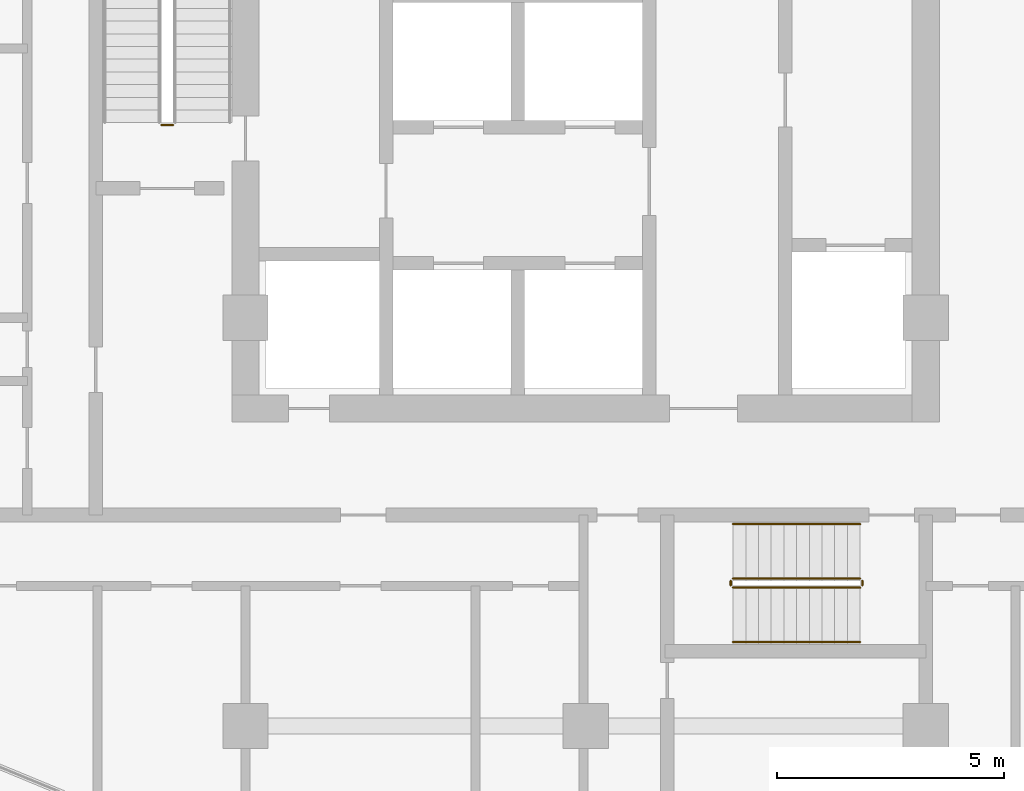
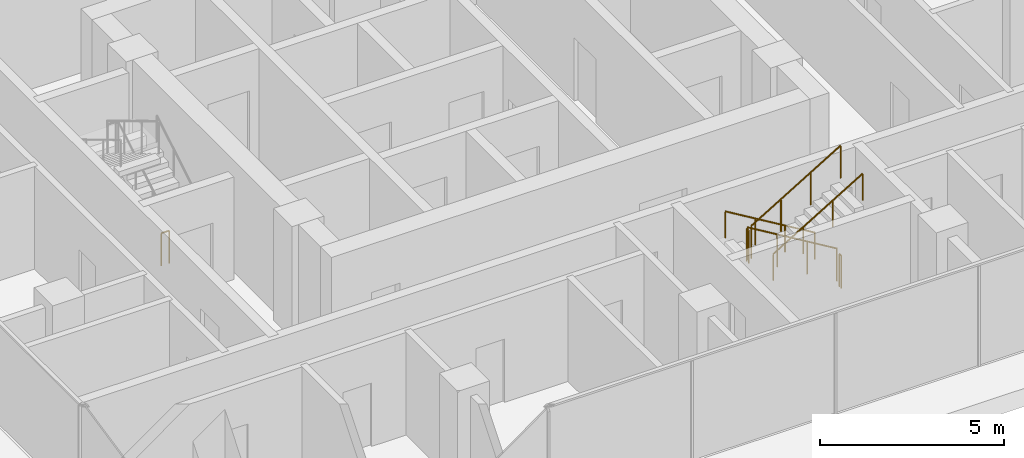
# One storey, part 35 of 36: 7 railings.
"""IFC4 building model written with IfcOpenShell, lengths in metres."""

from ifc_helpers import new_model, si_unit, direction, frame, origin, origin_2d, place, context, subcontext, project, spatial, circle, extrude, material, type_object, element, save


model = new_model("IFC4")

# Units and contexts
model_context = context("Model", 3, precision=1e-05, world=origin(), true_north=direction((0.0, 1.0)))
body_context = subcontext(model_context, "Body", "Model", "MODEL_VIEW")
ifc_project = project(units=[si_unit("LENGTHUNIT", "METRE"), si_unit("AREAUNIT", "SQUARE_METRE"), si_unit("VOLUMEUNIT", "CUBIC_METRE"), si_unit("PLANEANGLEUNIT", "RADIAN"), si_unit("MASSUNIT", "GRAM", prefix="KILO")], contexts=[model_context])

# Site, building, storey
site_placement = place(None, origin())
site = spatial("IfcSite", under=ifc_project, at=site_placement, CompositionType="ELEMENT")
building_placement = place(site_placement, origin())
building = spatial("IfcBuilding", under=site, at=building_placement, Name="Ogive Portal Towers", CompositionType="ELEMENT")
storey_placement = place(building_placement, frame((0.0, 0.0, 52.0)))
storey = spatial("IfcBuildingStorey", under=building, at=storey_placement, Name="L11", CompositionType="ELEMENT", Elevation=52.0)

# Railings
ifc_material_1 = material(Name="Stainless steel balustrade", Category="steel")
railing_type_1 = type_object("IfcRailingType", Name="INT-GUARD", PredefinedType="GUARDRAIL", material=ifc_material_1)
railing_1_placement = place(storey_placement, frame((127.39990234375, 30.75, 0.0)))
element("IfcRailing", 1, at=railing_1_placement, inside=storey, type_object=railing_type_1, Name="L11 ST-B1 stair guard 4", PredefinedType="GUARDRAIL", context=body_context, shape_type="SweptSolid", body=[
    extrude(circle(Radius=0.02392578125, at=origin_2d()), frame((0.0, 0.0, 1.076171875), z_axis=(-1.0, 0.0, 0.0), x_axis=(0.0, -1.0, 0.0)), (0.0, 0.0, 1.0), 0.25),
    extrude(circle(Radius=0.02099609375, at=origin_2d()), origin(), (0.0, 0.0, 1.0), 1.052001953125),
    extrude(circle(Radius=0.02099609375, at=origin_2d()), frame((-0.25, 0.0, 0.0)), (0.0, 0.0, 1.0), 1.052001953125),
])
railing_2_placement = place(storey_placement, frame((142.550048828125, 20.75, 0.168212890625)))
element("IfcRailing", 2, at=railing_2_placement, inside=storey, type_object=railing_type_1, Name="L11 ST-B2 stair guard 1", PredefinedType="GUARDRAIL", context=body_context, shape_type="SweptSolid", body=[
    extrude(circle(Radius=0.02392578125, at=origin_2d()), frame((0.0, 0.0, 1.076171875), z_axis=(-0.857242210791, 0.0, 0.514913383045), x_axis=(0.0, -1.0, 0.0)), (0.0, 0.0, 1.0), 3.266357421875),
    extrude(circle(Radius=0.02099609375, at=origin_2d()), origin(), (0.0, 0.0, 1.0), 1.052001953125),
    extrude(circle(Radius=0.02099609375, at=origin_2d()), frame((-0.933349609375, 0.0, 0.560546875)), (0.0, 0.0, 1.0), 1.052001953125),
    extrude(circle(Radius=0.02099609375, at=origin_2d()), frame((-1.86669921875, 0.0, 1.121337890625)), (0.0, 0.0, 1.0), 1.052001953125),
    extrude(circle(Radius=0.02099609375, at=origin_2d()), frame((-2.800048828125, 0.0, 1.681884765625)), (0.0, 0.0, 1.0), 1.052001953125),
])
railing_3_placement = place(storey_placement, frame((139.699951171875, 20.699951171875, 1.85009765625)))
element("IfcRailing", 3, at=railing_3_placement, inside=storey, type_object=railing_type_1, Name="L11 ST-B2 stair guard 2", PredefinedType="GUARDRAIL", context=body_context, shape_type="SweptSolid", body=[
    extrude(circle(Radius=0.02392578125, at=origin_2d()), frame((0.0, 0.0, 1.076171875), z_axis=(0.0, -1.0, 0.0), x_axis=(1.0, 0.0, 0.0)), (0.0, 0.0, 1.0), 0.099853515625),
    extrude(circle(Radius=0.02099609375, at=origin_2d()), origin(), (0.0, 0.0, 1.0), 1.052001953125),
    extrude(circle(Radius=0.02099609375, at=origin_2d()), frame((0.0, -0.099853515625, 0.0)), (0.0, 0.0, 1.0), 1.052001953125),
])
railing_4_placement = place(storey_placement, frame((139.75, 20.550048828125, 2.01806640625)))
element("IfcRailing", 4, at=railing_4_placement, inside=storey, type_object=railing_type_1, Name="L11 ST-B2 stair guard 3", PredefinedType="GUARDRAIL", context=body_context, shape_type="SweptSolid", body=[
    extrude(circle(Radius=0.02392578125, at=origin_2d()), frame((0.0, 0.0, 1.076171875), z_axis=(0.857242210791, 0.0, 0.514913383045), x_axis=(0.0, 1.0, 0.0)), (0.0, 0.0, 1.0), 3.266357421875),
    extrude(circle(Radius=0.02099609375, at=origin_2d()), origin(), (0.0, 0.0, 1.0), 1.052001953125),
    extrude(circle(Radius=0.02099609375, at=origin_2d()), frame((0.933349609375, 0.0, 0.560546875)), (0.0, 0.0, 1.0), 1.052001953125),
    extrude(circle(Radius=0.02099609375, at=origin_2d()), frame((1.86669921875, 0.0, 1.121337890625)), (0.0, 0.0, 1.0), 1.052001953125),
    extrude(circle(Radius=0.02099609375, at=origin_2d()), frame((2.800048828125, 0.0, 1.681884765625)), (0.0, 0.0, 1.0), 1.052001953125),
])
railing_5_placement = place(storey_placement, frame((142.60009765625, 20.699951171875, 0.0)))
element("IfcRailing", 5, at=railing_5_placement, inside=storey, type_object=railing_type_1, Name="L11 ST-B2 stair guard 4", PredefinedType="GUARDRAIL", context=body_context, shape_type="SweptSolid", body=[
    extrude(circle(Radius=0.02392578125, at=origin_2d()), frame((0.0, 0.0, 1.076171875), z_axis=(0.0, -1.0, 0.0), x_axis=(1.0, 0.0, 0.0)), (0.0, 0.0, 1.0), 0.099853515625),
    extrude(circle(Radius=0.02099609375, at=origin_2d()), origin(), (0.0, 0.0, 1.0), 1.052001953125),
    extrude(circle(Radius=0.02099609375, at=origin_2d()), frame((0.0, -0.099853515625, 0.0)), (0.0, 0.0, 1.0), 1.052001953125),
])
ifc_material_2 = material(Name="Stainless steel handrail", Category="steel")
railing_type_2 = type_object("IfcRailingType", Name="INT-HANDRAIL", PredefinedType="HANDRAIL", material=ifc_material_2)
railing_6_placement = place(storey_placement, frame((142.550048828125, 21.949951171875, 0.168212890625)))
element("IfcRailing", 6, at=railing_6_placement, inside=storey, type_object=railing_type_2, Name="L11 ST-B2 stair handrail 1", PredefinedType="HANDRAIL", context=body_context, shape_type="SweptSolid", body=[
    extrude(circle(Radius=0.02392578125, at=origin_2d()), frame((0.0, 0.0, 0.8759765625), z_axis=(-0.857242210791, 0.0, 0.514913383045), x_axis=(0.0, -1.0, 0.0)), (0.0, 0.0, 1.0), 3.266357421875),
    extrude(circle(Radius=0.02099609375, at=origin_2d()), origin(), (0.0, 0.0, 1.0), 0.851806640625),
    extrude(circle(Radius=0.02099609375, at=origin_2d()), frame((-0.933349609375, 0.0, 0.560546875)), (0.0, 0.0, 1.0), 0.851806640625),
    extrude(circle(Radius=0.02099609375, at=origin_2d()), frame((-1.86669921875, 0.0, 1.121337890625)), (0.0, 0.0, 1.0), 0.851806640625),
    extrude(circle(Radius=0.02099609375, at=origin_2d()), frame((-2.800048828125, 0.0, 1.681884765625)), (0.0, 0.0, 1.0), 0.851806640625),
])
railing_7_placement = place(storey_placement, frame((139.75, 19.35009765625, 2.01806640625)))
element("IfcRailing", 7, at=railing_7_placement, inside=storey, type_object=railing_type_2, Name="L11 ST-B2 stair handrail 2", PredefinedType="HANDRAIL", context=body_context, shape_type="SweptSolid", body=[
    extrude(circle(Radius=0.02392578125, at=origin_2d()), frame((0.0, 0.0, 0.8759765625), z_axis=(0.857242210791, 0.0, 0.514913383045), x_axis=(0.0, 1.0, 0.0)), (0.0, 0.0, 1.0), 3.266357421875),
    extrude(circle(Radius=0.02099609375, at=origin_2d()), origin(), (0.0, 0.0, 1.0), 0.851806640625),
    extrude(circle(Radius=0.02099609375, at=origin_2d()), frame((0.933349609375, 0.0, 0.560546875)), (0.0, 0.0, 1.0), 0.851806640625),
    extrude(circle(Radius=0.02099609375, at=origin_2d()), frame((1.86669921875, 0.0, 1.121337890625)), (0.0, 0.0, 1.0), 0.851806640625),
    extrude(circle(Radius=0.02099609375, at=origin_2d()), frame((2.800048828125, 0.0, 1.681884765625)), (0.0, 0.0, 1.0), 0.851806640625),
])

save(model, "model.ifc")
